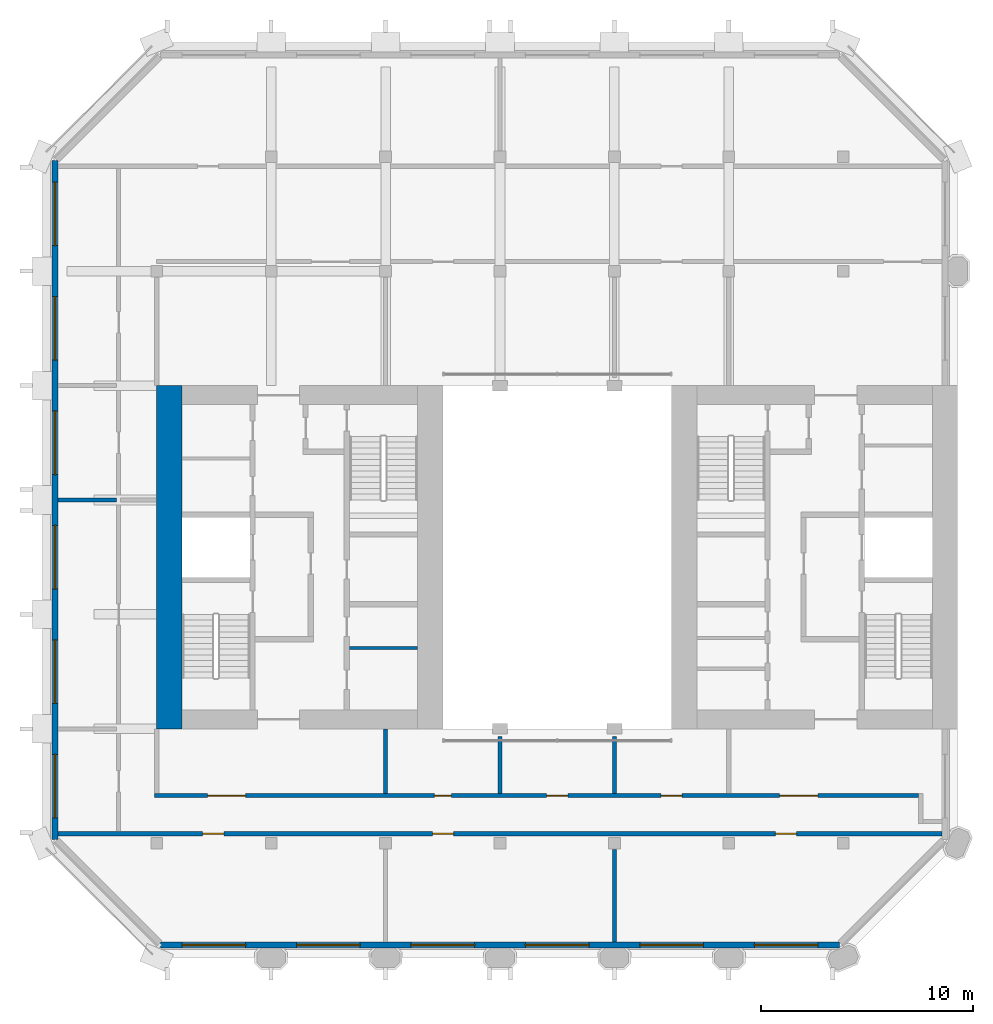
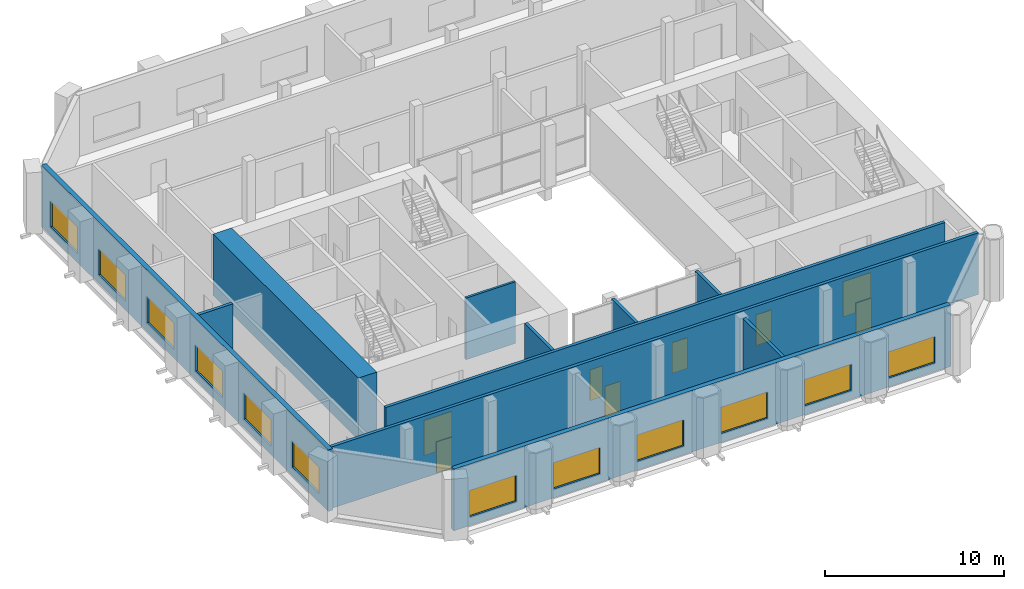
# One storey, part 6 of 11: 12 windows, 11 walls, 8 doors, 20 openings.
"""IFC4 building model written with IfcOpenShell, lengths in metres."""

from ifc_helpers import new_model, si_unit, direction, frame, frame_2d, origin, place, context, subcontext, project, spatial, polyline, rectangle, outline, extrude, material, layer, layer_set, type_object, element, fill, save


model = new_model("IFC4")

# Units and contexts
model_context = context("Model", 3, precision=1e-05, world=origin(), true_north=direction((0.0, 1.0)))
body_context = subcontext(model_context, "Body", "Model", "MODEL_VIEW")
ifc_project = project(units=[si_unit("LENGTHUNIT", "METRE"), si_unit("AREAUNIT", "SQUARE_METRE"), si_unit("VOLUMEUNIT", "CUBIC_METRE"), si_unit("PLANEANGLEUNIT", "RADIAN"), si_unit("MASSUNIT", "GRAM", prefix="KILO")], contexts=[model_context])

# Site, building, storey
site_placement = place(None, origin())
site = spatial("IfcSite", under=ifc_project, at=site_placement, CompositionType="ELEMENT")
building_placement = place(site_placement, origin())
building = spatial("IfcBuilding", under=site, at=building_placement, Name="Tabaq Tower and Sports Hall", CompositionType="ELEMENT")
storey_placement = place(building_placement, frame((0.0, 0.0, 312.699951171875)))
storey = spatial("IfcBuildingStorey", under=building, at=storey_placement, Name="L78", CompositionType="ELEMENT", Elevation=312.699951171875)

# Walls
ifc_material_1 = material(Name="Blockwork", Category="masonry")
ifc_layer_1 = layer(ifc_material_1, 0.14990234375)
ifc_layer_set_1 = layer_set([ifc_layer_1], Name="Core room partition 150 Blockwork")
wall_type_1 = type_object("IfcWallType", Name="Core room partition 150 Blockwork", PredefinedType="PARTITIONING", material=ifc_layer_set_1)
wall_1_placement = place(storey_placement, frame((14.5, 20.010009765625, 0.0), z_axis=(0.0, 0.0, 1.0), x_axis=(1.0, 0.0, 0.0)))
element("IfcWall", 1, at=wall_1_placement, inside=storey, type_object=wall_type_1, Name="Core room partition W L78", PredefinedType="PARTITIONING", context=body_context, shape_type="SweptSolid", body=[
    extrude(rectangle(XDim=3.199951171875, YDim=0.14990234375, at=frame_2d((1.60009765625, 0.0))), origin(), (0.0, 0.0, 1.0), 4.199951171875),
])
ifc_material_2 = material(Name="Concrete C40/50", Category="concrete")
ifc_layer_2 = layer(ifc_material_2, 1.199951171875)
ifc_layer_set_2 = layer_set([ifc_layer_2], Name="Core wall 1200 Concrete C40/50")
wall_type_2 = type_object("IfcWallType", Name="Core wall 1200 Concrete C40/50", PredefinedType="SOLIDWALL", material=ifc_layer_set_2)
wall_2_placement = place(storey_placement, frame((6.0, 16.199951171875, 0.0), z_axis=(0.0, 0.0, 1.0), x_axis=(0.0, 1.0, 0.0)))
element("IfcWall", 2, at=wall_2_placement, inside=storey, type_object=wall_type_2, Name="Core wall W L78", PredefinedType="SOLIDWALL", context=body_context, shape_type="SweptSolid", body=[
    extrude(rectangle(XDim=16.199951171875, YDim=1.199951171875, at=frame_2d((8.10009765625, 0.0))), origin(), (0.0, 0.0, 1.0), 4.199951171875),
])
ifc_material_3 = material(Name="Blockwork", Category="masonry")
ifc_layer_3 = layer(ifc_material_3, 0.199951171875)
ifc_layer_set_3 = layer_set([ifc_layer_3], Name="Fire compartment wall 200 Blockwork")
wall_type_3 = type_object("IfcWallType", Name="Fire compartment wall 200 Blockwork", PredefinedType="PARTITIONING", material=ifc_layer_set_3)
wall_3_placement = place(storey_placement, frame((0.7509765625, 27.0, 0.0), z_axis=(0.0, 0.0, 1.0), x_axis=(1.0, 0.0, 0.0)))
element("IfcWall", 3, at=wall_3_placement, inside=storey, type_object=wall_type_3, Name="Compartment wall L78", PredefinedType="PARTITIONING", context=body_context, shape_type="SweptSolid", body=[
    extrude(rectangle(XDim=2.7490234375, YDim=0.199951171875, at=frame_2d((1.37451171875, 0.0))), origin(), (0.0, 0.0, 1.0), 3.449951171875),
])
wall_4_placement = place(storey_placement, frame((27.0, 10.5048828125, 0.0), z_axis=(0.0, 0.0, 1.0), x_axis=(0.0, -1.0, 0.0)))
element("IfcWall", 4, at=wall_4_placement, inside=storey, type_object=wall_type_3, Name="Compartment wall L78", PredefinedType="PARTITIONING", context=body_context, shape_type="SweptSolid", body=[
    extrude(rectangle(XDim=4.35400390625, YDim=0.199951171875, at=frame_2d((2.177001953125, 0.0))), origin(), (0.0, 0.0, 1.0), 4.199951171875),
])

# Wall, openings, doors
wall_5_placement = place(storey_placement, frame((0.7509765625, 11.25, 0.0), z_axis=(0.0, 0.0, 1.0), x_axis=(1.0, 0.0, 0.0)))
wall_5 = element("IfcWall", 5, at=wall_5_placement, inside=storey, type_object=wall_type_3, Name="Compartment wall L78", PredefinedType="PARTITIONING", context=body_context, shape_type="SweptSolid", body=[
    extrude(rectangle(XDim=41.697998046875, YDim=0.199951171875, at=frame_2d((20.84912109375, 0.0))), origin(), (0.0, 0.0, 1.0), 4.199951171875),
])
opening_1_placement = place(wall_5_placement, frame((33.84912109375, 0.0, 0.0)))
opening_1 = element("IfcOpeningElement", 6, at=opening_1_placement, cuts=wall_5, Name="Opening L78-008", PredefinedType="OPENING", context=body_context, shape_type="SweptSolid", body=[
    extrude(rectangle(XDim=1.0, YDim=2.10009765625, at=frame_2d((0.5, 1.050048828125))), frame((0.0, 0.10009765625, 0.0), z_axis=(0.0, -1.0, 0.0), x_axis=(1.0, 0.0, 0.0)), (0.0, 0.0, 1.0), 0.199951171875),
])
opening_2_placement = place(wall_5_placement, frame((17.666015625, 0.0, 0.0)))
opening_2 = element("IfcOpeningElement", 7, at=opening_2_placement, cuts=wall_5, Name="Opening L78-009", PredefinedType="OPENING", context=body_context, shape_type="SweptSolid", body=[
    extrude(rectangle(XDim=1.0, YDim=2.10009765625, at=frame_2d((0.5, 1.050048828125))), frame((0.0, 0.10009765625, 0.0), z_axis=(0.0, -1.0, 0.0), x_axis=(1.0, 0.0, 0.0)), (0.0, 0.0, 1.0), 0.199951171875),
])
opening_3_placement = place(wall_5_placement, frame((6.81591796875, 0.0, 0.0)))
opening_3 = element("IfcOpeningElement", 8, at=opening_3_placement, cuts=wall_5, Name="Opening L78-010", PredefinedType="OPENING", context=body_context, shape_type="SweptSolid", body=[
    extrude(rectangle(XDim=1.0, YDim=2.10009765625, at=frame_2d((0.5, 1.050048828125))), frame((0.0, 0.10009765625, 0.0), z_axis=(0.0, -1.0, 0.0), x_axis=(1.0, 0.0, 0.0)), (0.0, 0.0, 1.0), 0.199951171875),
])
ifc_material_4 = material(Name="Steel fire door", Category="steel")
door_type_1 = type_object("IfcDoorType", Name="Plant room door 1000 left hand", OperationType="SINGLE_SWING_LEFT", PredefinedType="DOOR", material=ifc_material_4)
door_1_placement = place(opening_1_placement, origin())
door_1 = element("IfcDoor", 9, at=door_1_placement, inside=storey, type_object=door_type_1, Name="Plant room door L78-008", OperationType="SINGLE_SWING_LEFT", OverallHeight=2.10009765625, OverallWidth=1.0, PredefinedType="DOOR", context=body_context, shape_type="SweptSolid", body=[
    extrude(rectangle(XDim=1.0, YDim=2.10009765625, at=frame_2d((0.5, 1.050048828125))), frame((0.0, 0.02490234375, 0.0), z_axis=(0.0, -1.0, 0.0), x_axis=(1.0, 0.0, 0.0)), (0.0, 0.0, 1.0), 0.050048828125),
])
fill(opening_1, door_1)
ifc_material_5 = material(Name="Steel fire door", Category="steel")
door_type_2 = type_object("IfcDoorType", Name="Plant room door 1000 right hand", OperationType="SINGLE_SWING_RIGHT", PredefinedType="DOOR", material=ifc_material_5)
door_2_placement = place(opening_2_placement, origin())
door_2 = element("IfcDoor", 10, at=door_2_placement, inside=storey, type_object=door_type_2, Name="Plant room door L78-009", OperationType="SINGLE_SWING_RIGHT", OverallHeight=2.10009765625, OverallWidth=1.0, PredefinedType="DOOR", context=body_context, shape_type="SweptSolid", body=[
    extrude(rectangle(XDim=1.0, YDim=2.10009765625, at=frame_2d((0.5, 1.050048828125))), frame((0.0, 0.02490234375, 0.0), z_axis=(0.0, -1.0, 0.0), x_axis=(1.0, 0.0, 0.0)), (0.0, 0.0, 1.0), 0.050048828125),
])
fill(opening_2, door_2)
door_3_placement = place(opening_3_placement, origin())
door_3 = element("IfcDoor", 11, at=door_3_placement, inside=storey, type_object=door_type_2, Name="Plant room door L78-010", OperationType="SINGLE_SWING_RIGHT", OverallHeight=2.10009765625, OverallWidth=1.0, PredefinedType="DOOR", context=body_context, shape_type="SweptSolid", body=[
    extrude(rectangle(XDim=1.0, YDim=2.10009765625, at=frame_2d((0.5, 1.050048828125))), frame((0.0, 0.02490234375, 0.0), z_axis=(0.0, -1.0, 0.0), x_axis=(1.0, 0.0, 0.0)), (0.0, 0.0, 1.0), 0.050048828125),
])
fill(opening_3, door_3)

# Walls
for number, where, z_axis, x_axis, name in (
    (12, (27.0, 15.830078125, 0.0), (0.0, 0.0, 1.0), (0.0, -1.0, 0.0), "Compartment wall L78"),
    (13, (21.60009765625, 15.830078125, 0.0), (0.0, 0.0, 1.0), (0.0, -1.0, 0.0), "Compartment wall L78"),
):
    element("IfcWall", number, at=place(storey_placement, frame(where, z_axis=z_axis, x_axis=x_axis)), inside=storey, type_object=wall_type_3, Name=name, PredefinedType="PARTITIONING", context=body_context, shape_type="SweptSolid", body=[
        extrude(rectangle(XDim=2.68017578125, YDim=0.199951171875, at=frame_2d((1.340087890625, 0.0))), origin(), (0.0, 0.0, 1.0), 4.199951171875),
    ])
wall_6_placement = place(storey_placement, frame((16.199951171875, 16.199951171875, 0.0), z_axis=(0.0, 0.0, 1.0), x_axis=(0.0, -1.0, 0.0)))
element("IfcWall", 14, at=wall_6_placement, inside=storey, type_object=wall_type_3, Name="Compartment wall L78", PredefinedType="PARTITIONING", context=body_context, shape_type="SweptSolid", body=[
    extrude(rectangle(XDim=3.050048828125, YDim=0.199951171875, at=frame_2d((1.52490234375, 0.0))), origin(), (0.0, 0.0, 1.0), 4.199951171875),
])

# Wall, openings, doors
wall_7_placement = place(storey_placement, frame((5.300048828125, 13.050048828125, 0.0), z_axis=(0.0, 0.0, 1.0), x_axis=(1.0, 0.0, 0.0)))
wall_7 = element("IfcWall", 15, at=wall_7_placement, inside=storey, type_object=wall_type_3, Name="Compartment wall L78", PredefinedType="PARTITIONING", context=body_context, shape_type="SweptSolid", body=[
    extrude(rectangle(XDim=36.049072265625, YDim=0.199951171875, at=frame_2d((18.0244140625, 0.0))), origin(), (0.0, 0.0, 1.0), 4.199951171875),
])
opening_4_placement = place(wall_7_placement, frame((23.89990234375, 0.0, 0.0)))
opening_4 = element("IfcOpeningElement", 16, at=opening_4_placement, cuts=wall_7, Name="Opening L78-011", PredefinedType="OPENING", context=body_context, shape_type="SweptSolid", body=[
    extrude(rectangle(XDim=1.0, YDim=2.10009765625, at=frame_2d((0.5, 1.050048828125))), frame((0.0, 0.10009765625, 0.0), z_axis=(0.0, -1.0, 0.0), x_axis=(1.0, 0.0, 0.0)), (0.0, 0.0, 1.0), 0.199951171875),
])
opening_5_placement = place(wall_7_placement, frame((18.5, 0.0, 0.0)))
opening_5 = element("IfcOpeningElement", 17, at=opening_5_placement, cuts=wall_7, Name="Opening L78-012", PredefinedType="OPENING", context=body_context, shape_type="SweptSolid", body=[
    extrude(rectangle(XDim=1.0, YDim=2.10009765625, at=frame_2d((0.5, 1.050048828125))), frame((0.0, 0.10009765625, 0.0), z_axis=(0.0, -1.0, 0.0), x_axis=(1.0, 0.0, 0.0)), (0.0, 0.0, 1.0), 0.199951171875),
])
opening_6_placement = place(wall_7_placement, frame((13.199951171875, 0.0, 0.0)))
opening_6 = element("IfcOpeningElement", 18, at=opening_6_placement, cuts=wall_7, Name="Opening L78-013", PredefinedType="OPENING", context=body_context, shape_type="SweptSolid", body=[
    extrude(rectangle(XDim=0.800048828125, YDim=2.10009765625, at=frame_2d((0.39990234375, 1.050048828125))), frame((0.0, 0.10009765625, 0.0), z_axis=(0.0, -1.0, 0.0), x_axis=(1.0, 0.0, 0.0)), (0.0, 0.0, 1.0), 0.199951171875),
])
opening_7_placement = place(wall_7_placement, frame((29.5, 0.0, 0.0)))
opening_7 = element("IfcOpeningElement", 19, at=opening_7_placement, cuts=wall_7, Name="Opening L78-017", PredefinedType="OPENING", context=body_context, shape_type="SweptSolid", body=[
    extrude(rectangle(XDim=1.800048828125, YDim=2.39990234375, at=frame_2d((0.89990234375, 1.199951171875))), frame((0.0, 0.10009765625, 0.0), z_axis=(0.0, -1.0, 0.0), x_axis=(1.0, 0.0, 0.0)), (0.0, 0.0, 1.0), 0.199951171875),
])
opening_8_placement = place(wall_7_placement, frame((2.5, 0.0, 0.0)))
opening_8 = element("IfcOpeningElement", 20, at=opening_8_placement, cuts=wall_7, Name="Opening L78-018", PredefinedType="OPENING", context=body_context, shape_type="SweptSolid", body=[
    extrude(rectangle(XDim=1.800048828125, YDim=2.39990234375, at=frame_2d((0.89990234375, 1.199951171875))), frame((0.0, 0.10009765625, 0.0), z_axis=(0.0, -1.0, 0.0), x_axis=(1.0, 0.0, 0.0)), (0.0, 0.0, 1.0), 0.199951171875),
])
door_4_placement = place(opening_4_placement, origin())
door_4 = element("IfcDoor", 21, at=door_4_placement, inside=storey, type_object=door_type_1, Name="Plant room door L78-011", OperationType="SINGLE_SWING_LEFT", OverallHeight=2.10009765625, OverallWidth=1.0, PredefinedType="DOOR", context=body_context, shape_type="SweptSolid", body=[
    extrude(rectangle(XDim=1.0, YDim=2.10009765625, at=frame_2d((0.5, 1.050048828125))), frame((0.0, 0.02490234375, 0.0), z_axis=(0.0, -1.0, 0.0), x_axis=(1.0, 0.0, 0.0)), (0.0, 0.0, 1.0), 0.050048828125),
])
fill(opening_4, door_4)
ifc_material_6 = material(Name="Steel fire door", Category="steel")
door_type_3 = type_object("IfcDoorType", Name="Plant room door 1800", OperationType="DOUBLE_DOOR_SINGLE_SWING", PredefinedType="DOOR", material=ifc_material_6)
door_5_placement = place(opening_7_placement, origin())
door_5 = element("IfcDoor", 22, at=door_5_placement, inside=storey, type_object=door_type_3, Name="Plant room door L78-017", OperationType="DOUBLE_DOOR_SINGLE_SWING", OverallHeight=2.39990234375, OverallWidth=1.800048828125, PredefinedType="DOOR", context=body_context, shape_type="SweptSolid", body=[
    extrude(rectangle(XDim=1.800048828125, YDim=2.39990234375, at=frame_2d((0.89990234375, 1.199951171875))), frame((0.0, 0.02490234375, 0.0), z_axis=(0.0, -1.0, 0.0), x_axis=(1.0, 0.0, 0.0)), (0.0, 0.0, 1.0), 0.050048828125),
])
fill(opening_7, door_5)
door_6_placement = place(opening_8_placement, origin())
door_6 = element("IfcDoor", 23, at=door_6_placement, inside=storey, type_object=door_type_3, Name="Plant room door L78-018", OperationType="DOUBLE_DOOR_SINGLE_SWING", OverallHeight=2.39990234375, OverallWidth=1.800048828125, PredefinedType="DOOR", context=body_context, shape_type="SweptSolid", body=[
    extrude(rectangle(XDim=1.800048828125, YDim=2.39990234375, at=frame_2d((0.89990234375, 1.199951171875))), frame((0.0, 0.02490234375, 0.0), z_axis=(0.0, -1.0, 0.0), x_axis=(1.0, 0.0, 0.0)), (0.0, 0.0, 1.0), 0.050048828125),
])
fill(opening_8, door_6)
ifc_material_7 = material(Name="Steel fire door", Category="steel")
door_type_4 = type_object("IfcDoorType", Name="Plant room door 800 right hand", OperationType="SINGLE_SWING_RIGHT", PredefinedType="DOOR", material=ifc_material_7)
door_7_placement = place(opening_6_placement, origin())
door_7 = element("IfcDoor", 24, at=door_7_placement, inside=storey, type_object=door_type_4, Name="Plant room door L78-013", OperationType="SINGLE_SWING_RIGHT", OverallHeight=2.10009765625, OverallWidth=0.800048828125, PredefinedType="DOOR", context=body_context, shape_type="SweptSolid", body=[
    extrude(rectangle(XDim=0.800048828125, YDim=2.10009765625, at=frame_2d((0.39990234375, 1.050048828125))), frame((0.0, 0.02490234375, 0.0), z_axis=(0.0, -1.0, 0.0), x_axis=(1.0, 0.0, 0.0)), (0.0, 0.0, 1.0), 0.050048828125),
])
fill(opening_6, door_7)
ifc_material_8 = material(Name="Steel fire door", Category="steel")
door_type_5 = type_object("IfcDoorType", Name="Riser door 1000 right hand", OperationType="SINGLE_SWING_RIGHT", PredefinedType="DOOR", material=ifc_material_8)
door_8_placement = place(opening_5_placement, origin())
door_8 = element("IfcDoor", 25, at=door_8_placement, inside=storey, type_object=door_type_5, Name="Riser door L78-012", OperationType="SINGLE_SWING_RIGHT", OverallHeight=2.10009765625, OverallWidth=1.0, PredefinedType="DOOR", context=body_context, shape_type="SweptSolid", body=[
    extrude(rectangle(XDim=1.0, YDim=2.10009765625, at=frame_2d((0.5, 1.050048828125))), frame((0.0, 0.02490234375, 0.0), z_axis=(0.0, -1.0, 0.0), x_axis=(1.0, 0.0, 0.0)), (0.0, 0.0, 1.0), 0.050048828125),
])
fill(opening_5, door_8)

# Wall, openings, windows
ifc_material_9 = material(Name="White precast concrete C60/75", Category="concrete")
ifc_layer_4 = layer(ifc_material_9, 0.300048828125)
ifc_layer_set_4 = layer_set([ifc_layer_4], Name="White precast concrete C60/75 external wall 300")
wall_type_4 = type_object("IfcWallType", Name="White precast concrete C60/75 external wall 300", PredefinedType="SOLIDWALL", material=ifc_layer_set_4)
wall_8_placement = place(storey_placement, frame((5.58642578125, 6.0, 0.0), z_axis=(0.0, 0.0, 1.0), x_axis=(1.0, 0.0, 0.0)))
wall_8 = element("IfcWall", 26, at=wall_8_placement, inside=storey, type_object=wall_type_4, Name="External Wall L78 S", PredefinedType="SOLIDWALL", context=body_context, shape_type="SweptSolid", body=[
    extrude(outline(polyline([(0.0, 0.0), (32.027099609375, 0.0), (32.027099609375, 4.199951171875), (31.43408203125, 4.199951171875), (30.841064453125, 4.199951171875), (30.247802734375, 4.199951171875), (29.65478515625, 4.199951171875), (29.061767578125, 4.199951171875), (28.46875, 4.199951171875), (27.87548828125, 4.199951171875), (27.282470703125, 4.199951171875), (26.689453125, 4.199951171875), (26.09619140625, 4.199951171875), (25.503173828125, 4.199951171875), (24.91015625, 4.199951171875), (24.31689453125, 4.199951171875), (23.723876953125, 4.199951171875), (23.130859375, 4.199951171875), (22.53759765625, 4.199951171875), (21.944580078125, 4.199951171875), (21.3515625, 4.199951171875), (20.75830078125, 4.199951171875), (20.165283203125, 4.199951171875), (19.572265625, 4.199951171875), (18.97900390625, 4.199951171875), (18.385986328125, 4.199951171875), (17.79296875, 4.199951171875), (17.19970703125, 4.199951171875), (16.606689453125, 4.199951171875), (16.013671875, 4.199951171875), (15.42041015625, 4.199951171875), (14.827392578125, 4.199951171875), (14.234375, 4.199951171875), (13.64111328125, 4.199951171875), (13.048095703125, 4.199951171875), (12.455078125, 4.199951171875), (11.86181640625, 4.199951171875), (11.268798828125, 4.199951171875), (10.67578125, 4.199951171875), (10.08251953125, 4.199951171875), (9.489501953125, 4.199951171875), (8.896484375, 4.199951171875), (8.303466796875, 4.199951171875), (7.710205078125, 4.199951171875), (7.1171875, 4.199951171875), (6.524169921875, 4.199951171875), (5.930908203125, 4.199951171875), (5.337890625, 4.199951171875), (4.744873046875, 4.199951171875), (4.151611328125, 4.199951171875), (3.55859375, 4.199951171875), (2.965576171875, 4.199951171875), (2.372314453125, 4.199951171875), (1.779296875, 4.199951171875), (1.186279296875, 4.199951171875), (0.593017578125, 4.199951171875), (0.0, 4.199951171875), (0.0, 0.0)])), frame((0.0, 0.14990234375, 0.0), z_axis=(0.0, -1.0, 0.0), x_axis=(1.0, 0.0, 0.0)), (0.0, 0.0, 1.0), 0.300048828125),
])
opening_9_placement = place(wall_8_placement, frame((1.013671875, 0.0, 0.60009765625)))
opening_9 = element("IfcOpeningElement", 27, at=opening_9_placement, cuts=wall_8, Name="Opening LV1", PredefinedType="OPENING", context=body_context, shape_type="SweptSolid", body=[
    extrude(rectangle(XDim=3.0, YDim=1.800048828125, at=frame_2d((1.5, 0.89990234375))), frame((0.0, 0.16015625, 0.0), z_axis=(0.0, -1.0, 0.0), x_axis=(1.0, 0.0, 0.0)), (0.0, 0.0, 1.0), 0.320068359375),
])
opening_10_placement = place(wall_8_placement, frame((6.41357421875, 0.0, 0.60009765625)))
opening_10 = element("IfcOpeningElement", 28, at=opening_10_placement, cuts=wall_8, Name="Opening LV1", PredefinedType="OPENING", context=body_context, shape_type="SweptSolid", body=[
    extrude(rectangle(XDim=3.0, YDim=1.800048828125, at=frame_2d((1.5, 0.89990234375))), frame((0.0, 0.16015625, 0.0), z_axis=(0.0, -1.0, 0.0), x_axis=(1.0, 0.0, 0.0)), (0.0, 0.0, 1.0), 0.320068359375),
])
opening_11_placement = place(wall_8_placement, frame((11.813720703125, 0.0, 0.60009765625)))
opening_11 = element("IfcOpeningElement", 29, at=opening_11_placement, cuts=wall_8, Name="Opening LV1", PredefinedType="OPENING", context=body_context, shape_type="SweptSolid", body=[
    extrude(rectangle(XDim=3.0, YDim=1.800048828125, at=frame_2d((1.5, 0.89990234375))), frame((0.0, 0.16015625, 0.0), z_axis=(0.0, -1.0, 0.0), x_axis=(1.0, 0.0, 0.0)), (0.0, 0.0, 1.0), 0.320068359375),
])
opening_12_placement = place(wall_8_placement, frame((17.213623046875, 0.0, 0.60009765625)))
opening_12 = element("IfcOpeningElement", 30, at=opening_12_placement, cuts=wall_8, Name="Opening LV1", PredefinedType="OPENING", context=body_context, shape_type="SweptSolid", body=[
    extrude(rectangle(XDim=3.0, YDim=1.800048828125, at=frame_2d((1.5, 0.89990234375))), frame((0.0, 0.16015625, 0.0), z_axis=(0.0, -1.0, 0.0), x_axis=(1.0, 0.0, 0.0)), (0.0, 0.0, 1.0), 0.320068359375),
])
opening_13_placement = place(wall_8_placement, frame((22.613525390625, 0.0, 0.60009765625)))
opening_13 = element("IfcOpeningElement", 31, at=opening_13_placement, cuts=wall_8, Name="Opening LV1", PredefinedType="OPENING", context=body_context, shape_type="SweptSolid", body=[
    extrude(rectangle(XDim=3.0, YDim=1.800048828125, at=frame_2d((1.5, 0.89990234375))), frame((0.0, 0.16015625, 0.0), z_axis=(0.0, -1.0, 0.0), x_axis=(1.0, 0.0, 0.0)), (0.0, 0.0, 1.0), 0.320068359375),
])
opening_14_placement = place(wall_8_placement, frame((28.013671875, 0.0, 0.60009765625)))
opening_14 = element("IfcOpeningElement", 32, at=opening_14_placement, cuts=wall_8, Name="Opening LV1", PredefinedType="OPENING", context=body_context, shape_type="SweptSolid", body=[
    extrude(rectangle(XDim=3.0, YDim=1.800048828125, at=frame_2d((1.5, 0.89990234375))), frame((0.0, 0.16015625, 0.0), z_axis=(0.0, -1.0, 0.0), x_axis=(1.0, 0.0, 0.0)), (0.0, 0.0, 1.0), 0.320068359375),
])
ifc_material_10 = material(Name="Aluminium alloy 6063-T6 louvre blades", Category="aluminium")
window_type = type_object("IfcWindowType", Name="Plant louvre LV1", PartitioningType="SINGLE_PANEL", PredefinedType="WINDOW", material=ifc_material_10)
window_1_placement = place(opening_9_placement, origin())
window_1 = element("IfcWindow", 33, at=window_1_placement, inside=storey, type_object=window_type, Name="Plant louvre L78", OverallHeight=1.800048828125, OverallWidth=3.0, PartitioningType="SINGLE_PANEL", PredefinedType="WINDOW", context=body_context, shape_type="SweptSolid", body=[
    extrude(rectangle(XDim=3.0, YDim=1.800048828125, at=frame_2d((1.5, 0.89990234375))), frame((0.0, 0.030029296875, 0.0), z_axis=(0.0, -1.0, 0.0), x_axis=(1.0, 0.0, 0.0)), (0.0, 0.0, 1.0), 0.06005859375),
])
fill(opening_9, window_1)
window_2_placement = place(opening_10_placement, origin())
window_2 = element("IfcWindow", 34, at=window_2_placement, inside=storey, type_object=window_type, Name="Plant louvre L78", OverallHeight=1.800048828125, OverallWidth=3.0, PartitioningType="SINGLE_PANEL", PredefinedType="WINDOW", context=body_context, shape_type="SweptSolid", body=[
    extrude(rectangle(XDim=3.0, YDim=1.800048828125, at=frame_2d((1.5, 0.89990234375))), frame((0.0, 0.030029296875, 0.0), z_axis=(0.0, -1.0, 0.0), x_axis=(1.0, 0.0, 0.0)), (0.0, 0.0, 1.0), 0.06005859375),
])
fill(opening_10, window_2)
window_3_placement = place(opening_11_placement, origin())
window_3 = element("IfcWindow", 35, at=window_3_placement, inside=storey, type_object=window_type, Name="Plant louvre L78", OverallHeight=1.800048828125, OverallWidth=3.0, PartitioningType="SINGLE_PANEL", PredefinedType="WINDOW", context=body_context, shape_type="SweptSolid", body=[
    extrude(rectangle(XDim=3.0, YDim=1.800048828125, at=frame_2d((1.5, 0.89990234375))), frame((0.0, 0.030029296875, 0.0), z_axis=(0.0, -1.0, 0.0), x_axis=(1.0, 0.0, 0.0)), (0.0, 0.0, 1.0), 0.06005859375),
])
fill(opening_11, window_3)
window_4_placement = place(opening_12_placement, origin())
window_4 = element("IfcWindow", 36, at=window_4_placement, inside=storey, type_object=window_type, Name="Plant louvre L78", OverallHeight=1.800048828125, OverallWidth=3.0, PartitioningType="SINGLE_PANEL", PredefinedType="WINDOW", context=body_context, shape_type="SweptSolid", body=[
    extrude(rectangle(XDim=3.0, YDim=1.800048828125, at=frame_2d((1.5, 0.89990234375))), frame((0.0, 0.030029296875, 0.0), z_axis=(0.0, -1.0, 0.0), x_axis=(1.0, 0.0, 0.0)), (0.0, 0.0, 1.0), 0.06005859375),
])
fill(opening_12, window_4)
window_5_placement = place(opening_13_placement, origin())
window_5 = element("IfcWindow", 37, at=window_5_placement, inside=storey, type_object=window_type, Name="Plant louvre L78", OverallHeight=1.800048828125, OverallWidth=3.0, PartitioningType="SINGLE_PANEL", PredefinedType="WINDOW", context=body_context, shape_type="SweptSolid", body=[
    extrude(rectangle(XDim=3.0, YDim=1.800048828125, at=frame_2d((1.5, 0.89990234375))), frame((0.0, 0.030029296875, 0.0), z_axis=(0.0, -1.0, 0.0), x_axis=(1.0, 0.0, 0.0)), (0.0, 0.0, 1.0), 0.06005859375),
])
fill(opening_13, window_5)
window_6_placement = place(opening_14_placement, origin())
window_6 = element("IfcWindow", 38, at=window_6_placement, inside=storey, type_object=window_type, Name="Plant louvre L78", OverallHeight=1.800048828125, OverallWidth=3.0, PartitioningType="SINGLE_PANEL", PredefinedType="WINDOW", context=body_context, shape_type="SweptSolid", body=[
    extrude(rectangle(XDim=3.0, YDim=1.800048828125, at=frame_2d((1.5, 0.89990234375))), frame((0.0, 0.030029296875, 0.0), z_axis=(0.0, -1.0, 0.0), x_axis=(1.0, 0.0, 0.0)), (0.0, 0.0, 1.0), 0.06005859375),
])
fill(opening_14, window_6)

wall_9_placement = place(storey_placement, frame((0.60009765625, 43.013671875, 0.0), z_axis=(0.0, 0.0, 1.0), x_axis=(0.0, -1.0, 0.0)))
wall_9 = element("IfcWall", 39, at=wall_9_placement, inside=storey, type_object=wall_type_4, Name="External Wall L78 W", PredefinedType="SOLIDWALL", context=body_context, shape_type="SweptSolid", body=[
    extrude(outline(polyline([(0.0, 0.0), (32.02734375, 0.0), (32.027099609375, 4.199951171875), (31.43408203125, 4.199951171875), (30.841064453125, 4.199951171875), (30.247802734375, 4.199951171875), (29.65478515625, 4.199951171875), (29.061767578125, 4.199951171875), (28.46875, 4.199951171875), (27.87548828125, 4.199951171875), (27.282470703125, 4.199951171875), (26.689453125, 4.199951171875), (26.09619140625, 4.199951171875), (25.503173828125, 4.199951171875), (24.91015625, 4.199951171875), (24.31689453125, 4.199951171875), (23.723876953125, 4.199951171875), (23.130859375, 4.199951171875), (22.53759765625, 4.199951171875), (21.944580078125, 4.199951171875), (21.3515625, 4.199951171875), (20.75830078125, 4.199951171875), (20.165283203125, 4.199951171875), (19.572265625, 4.199951171875), (18.97900390625, 4.199951171875), (18.385986328125, 4.199951171875), (17.79296875, 4.199951171875), (17.19970703125, 4.199951171875), (16.606689453125, 4.199951171875), (16.013671875, 4.199951171875), (15.42041015625, 4.199951171875), (14.827392578125, 4.199951171875), (14.234375, 4.199951171875), (13.64111328125, 4.199951171875), (13.048095703125, 4.199951171875), (12.455078125, 4.199951171875), (11.86181640625, 4.199951171875), (11.268798828125, 4.199951171875), (10.67578125, 4.199951171875), (10.08251953125, 4.199951171875), (9.489501953125, 4.199951171875), (8.896484375, 4.199951171875), (8.303466796875, 4.199951171875), (7.710205078125, 4.199951171875), (7.1171875, 4.199951171875), (6.524169921875, 4.199951171875), (5.930908203125, 4.199951171875), (5.337890625, 4.199951171875), (4.744873046875, 4.199951171875), (4.151611328125, 4.199951171875), (3.55859375, 4.199951171875), (2.965576171875, 4.199951171875), (2.372314453125, 4.199951171875), (1.779296875, 4.199951171875), (1.186279296875, 4.199951171875), (0.593017578125, 4.199951171875), (0.0, 4.199951171875), (0.0, 0.0)])), frame((0.0, 0.14990234375, 0.0), z_axis=(0.0, -1.0, 0.0), x_axis=(1.0, 0.0, 0.0)), (0.0, 0.0, 1.0), 0.300048828125),
])
opening_15_placement = place(wall_9_placement, frame((1.013671875, 0.0, 0.60009765625)))
opening_15 = element("IfcOpeningElement", 40, at=opening_15_placement, cuts=wall_9, Name="Opening LV1", PredefinedType="OPENING", context=body_context, shape_type="SweptSolid", body=[
    extrude(rectangle(XDim=3.0, YDim=1.800048828125, at=frame_2d((1.5, 0.89990234375))), frame((0.0, 0.16015625, 0.0), z_axis=(0.0, -1.0, 0.0), x_axis=(1.0, 0.0, 0.0)), (0.0, 0.0, 1.0), 0.320068359375),
])
opening_16_placement = place(wall_9_placement, frame((6.41357421875, 0.0, 0.60009765625)))
opening_16 = element("IfcOpeningElement", 41, at=opening_16_placement, cuts=wall_9, Name="Opening LV1", PredefinedType="OPENING", context=body_context, shape_type="SweptSolid", body=[
    extrude(rectangle(XDim=3.0, YDim=1.800048828125, at=frame_2d((1.5, 0.89990234375))), frame((0.0, 0.16015625, 0.0), z_axis=(0.0, -1.0, 0.0), x_axis=(1.0, 0.0, 0.0)), (0.0, 0.0, 1.0), 0.320068359375),
])
opening_17_placement = place(wall_9_placement, frame((11.813720703125, 0.0, 0.60009765625)))
opening_17 = element("IfcOpeningElement", 42, at=opening_17_placement, cuts=wall_9, Name="Opening LV1", PredefinedType="OPENING", context=body_context, shape_type="SweptSolid", body=[
    extrude(rectangle(XDim=3.0, YDim=1.800048828125, at=frame_2d((1.5, 0.89990234375))), frame((0.0, 0.16015625, 0.0), z_axis=(0.0, -1.0, 0.0), x_axis=(1.0, 0.0, 0.0)), (0.0, 0.0, 1.0), 0.320068359375),
])
opening_18_placement = place(wall_9_placement, frame((17.213623046875, 0.0, 0.60009765625)))
opening_18 = element("IfcOpeningElement", 43, at=opening_18_placement, cuts=wall_9, Name="Opening LV1", PredefinedType="OPENING", context=body_context, shape_type="SweptSolid", body=[
    extrude(rectangle(XDim=3.0, YDim=1.800048828125, at=frame_2d((1.5, 0.89990234375))), frame((0.0, 0.16015625, 0.0), z_axis=(0.0, -1.0, 0.0), x_axis=(1.0, 0.0, 0.0)), (0.0, 0.0, 1.0), 0.320068359375),
])
opening_19_placement = place(wall_9_placement, frame((22.613525390625, 0.0, 0.60009765625)))
opening_19 = element("IfcOpeningElement", 44, at=opening_19_placement, cuts=wall_9, Name="Opening LV1", PredefinedType="OPENING", context=body_context, shape_type="SweptSolid", body=[
    extrude(rectangle(XDim=3.0, YDim=1.800048828125, at=frame_2d((1.5, 0.89990234375))), frame((0.0, 0.16015625, 0.0), z_axis=(0.0, -1.0, 0.0), x_axis=(1.0, 0.0, 0.0)), (0.0, 0.0, 1.0), 0.320068359375),
])
opening_20_placement = place(wall_9_placement, frame((28.013671875, 0.0, 0.60009765625)))
opening_20 = element("IfcOpeningElement", 45, at=opening_20_placement, cuts=wall_9, Name="Opening LV1", PredefinedType="OPENING", context=body_context, shape_type="SweptSolid", body=[
    extrude(rectangle(XDim=3.0, YDim=1.800048828125, at=frame_2d((1.5, 0.89990234375))), frame((0.0, 0.16015625, 0.0), z_axis=(0.0, -1.0, 0.0), x_axis=(1.0, 0.0, 0.0)), (0.0, 0.0, 1.0), 0.320068359375),
])
window_7_placement = place(opening_15_placement, origin())
window_7 = element("IfcWindow", 46, at=window_7_placement, inside=storey, type_object=window_type, Name="Plant louvre L78", OverallHeight=1.800048828125, OverallWidth=3.0, PartitioningType="SINGLE_PANEL", PredefinedType="WINDOW", context=body_context, shape_type="SweptSolid", body=[
    extrude(rectangle(XDim=3.0, YDim=1.800048828125, at=frame_2d((1.5, 0.89990234375))), frame((0.0, 0.030029296875, 0.0), z_axis=(0.0, -1.0, 0.0), x_axis=(1.0, 0.0, 0.0)), (0.0, 0.0, 1.0), 0.06005859375),
])
fill(opening_15, window_7)
window_8_placement = place(opening_16_placement, origin())
window_8 = element("IfcWindow", 47, at=window_8_placement, inside=storey, type_object=window_type, Name="Plant louvre L78", OverallHeight=1.800048828125, OverallWidth=3.0, PartitioningType="SINGLE_PANEL", PredefinedType="WINDOW", context=body_context, shape_type="SweptSolid", body=[
    extrude(rectangle(XDim=3.0, YDim=1.800048828125, at=frame_2d((1.5, 0.89990234375))), frame((0.0, 0.030029296875, 0.0), z_axis=(0.0, -1.0, 0.0), x_axis=(1.0, 0.0, 0.0)), (0.0, 0.0, 1.0), 0.06005859375),
])
fill(opening_16, window_8)
window_9_placement = place(opening_17_placement, origin())
window_9 = element("IfcWindow", 48, at=window_9_placement, inside=storey, type_object=window_type, Name="Plant louvre L78", OverallHeight=1.800048828125, OverallWidth=3.0, PartitioningType="SINGLE_PANEL", PredefinedType="WINDOW", context=body_context, shape_type="SweptSolid", body=[
    extrude(rectangle(XDim=3.0, YDim=1.800048828125, at=frame_2d((1.5, 0.89990234375))), frame((0.0, 0.030029296875, 0.0), z_axis=(0.0, -1.0, 0.0), x_axis=(1.0, 0.0, 0.0)), (0.0, 0.0, 1.0), 0.06005859375),
])
fill(opening_17, window_9)
window_10_placement = place(opening_18_placement, origin())
window_10 = element("IfcWindow", 49, at=window_10_placement, inside=storey, type_object=window_type, Name="Plant louvre L78", OverallHeight=1.800048828125, OverallWidth=3.0, PartitioningType="SINGLE_PANEL", PredefinedType="WINDOW", context=body_context, shape_type="SweptSolid", body=[
    extrude(rectangle(XDim=3.0, YDim=1.800048828125, at=frame_2d((1.5, 0.89990234375))), frame((0.0, 0.030029296875, 0.0), z_axis=(0.0, -1.0, 0.0), x_axis=(1.0, 0.0, 0.0)), (0.0, 0.0, 1.0), 0.06005859375),
])
fill(opening_18, window_10)
window_11_placement = place(opening_19_placement, origin())
window_11 = element("IfcWindow", 50, at=window_11_placement, inside=storey, type_object=window_type, Name="Plant louvre L78", OverallHeight=1.800048828125, OverallWidth=3.0, PartitioningType="SINGLE_PANEL", PredefinedType="WINDOW", context=body_context, shape_type="SweptSolid", body=[
    extrude(rectangle(XDim=3.0, YDim=1.800048828125, at=frame_2d((1.5, 0.89990234375))), frame((0.0, 0.030029296875, 0.0), z_axis=(0.0, -1.0, 0.0), x_axis=(1.0, 0.0, 0.0)), (0.0, 0.0, 1.0), 0.06005859375),
])
fill(opening_19, window_11)
window_12_placement = place(opening_20_placement, origin())
window_12 = element("IfcWindow", 51, at=window_12_placement, inside=storey, type_object=window_type, Name="Plant louvre L78", OverallHeight=1.800048828125, OverallWidth=3.0, PartitioningType="SINGLE_PANEL", PredefinedType="WINDOW", context=body_context, shape_type="SweptSolid", body=[
    extrude(rectangle(XDim=3.0, YDim=1.800048828125, at=frame_2d((1.5, 0.89990234375))), frame((0.0, 0.030029296875, 0.0), z_axis=(0.0, -1.0, 0.0), x_axis=(1.0, 0.0, 0.0)), (0.0, 0.0, 1.0), 0.06005859375),
])
fill(opening_20, window_12)

save(model, "model.ifc")
